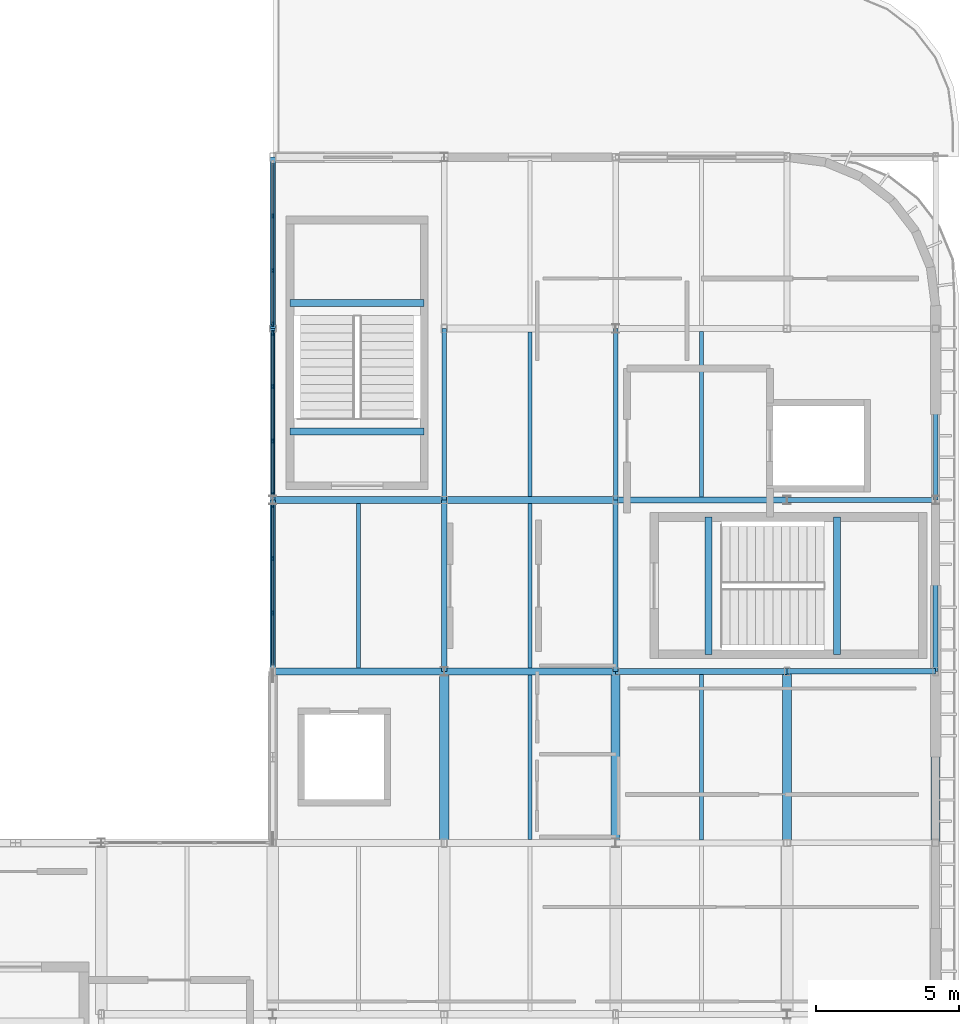
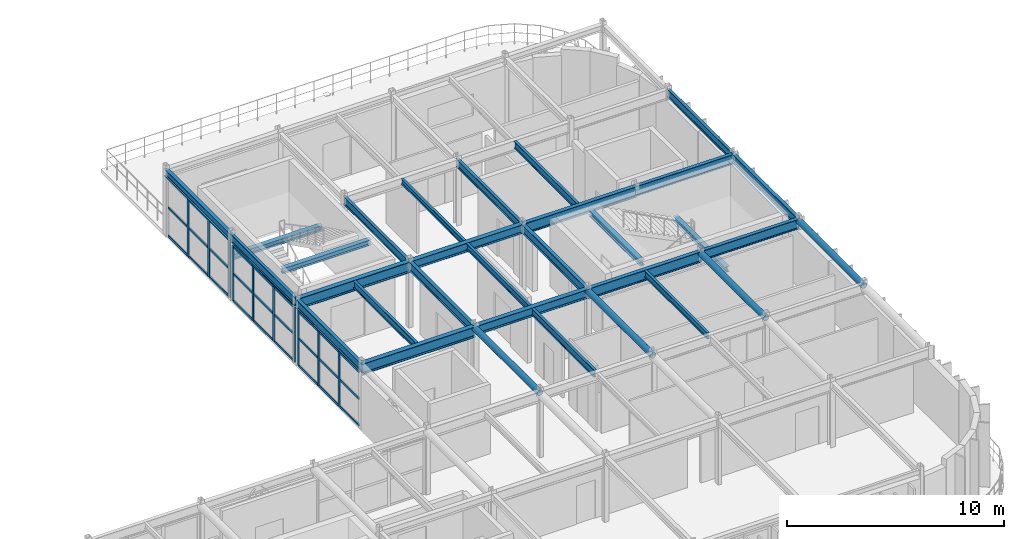
# One storey, part 8 of 27: 36 members, 31 beams, 3 elements without a shape of their own.
"""IFC4 building model written with IfcOpenShell, lengths in metres."""

from ifc_helpers import new_model, si_unit, direction, frame, origin, origin_2d, place, context, subcontext, project, spatial, rectangle, hollow_circle, i_section, extrude, material, material_profile, profile_set, type_object, element, aggregate, save


model = new_model("IFC4")

# Units and contexts
model_context = context("Model", 3, precision=1e-05, world=origin(), true_north=direction((0.0, 1.0)))
body_context = subcontext(model_context, "Body", "Model", "MODEL_VIEW")
ifc_project = project(units=[si_unit("LENGTHUNIT", "METRE"), si_unit("AREAUNIT", "SQUARE_METRE"), si_unit("VOLUMEUNIT", "CUBIC_METRE"), si_unit("PLANEANGLEUNIT", "RADIAN"), si_unit("MASSUNIT", "GRAM", prefix="KILO")], contexts=[model_context])

# Site, building, storey
site_placement = place(None, origin())
site = spatial("IfcSite", under=ifc_project, at=site_placement, CompositionType="ELEMENT")
building_placement = place(site_placement, origin())
building = spatial("IfcBuilding", under=site, at=building_placement, Name="Varnakota Square Police Headquarters", CompositionType="ELEMENT")
storey_placement = place(building_placement, frame((0.0, 0.0, 26.10009765625)))
storey = spatial("IfcBuildingStorey", under=building, at=storey_placement, Name="L06", CompositionType="ELEMENT", Elevation=26.10009765625)

# Beams
ifc_material_1 = material(Name="Steel IS 2062 Grade 350", Category="steel")
ifc_material_profile_1 = material_profile(ifc_material_1, hollow_circle(Radius=0.161865234375, WallThickness=0.0126953125, at=origin_2d()), Name="CHS 323.9x12.7")
ifc_profile_set_1 = profile_set([ifc_material_profile_1], Name="Steel IS 2062 Grade 350")
beam_type_1 = type_object("IfcBeamType", Name="BM-ARC-CHS324", PredefinedType="BEAM", material=ifc_profile_set_1)
for number, where, z_axis, x_axis, name in (
    (1, (144.0, 15.0, 3.52783203125), (0.0, 1.0, 0.0), (-1.0, 0.0, 0.0), "BMG-L06-3353"),
    (2, (150.0, 15.0, 3.52783203125), (0.0, 1.0, 0.0), (-1.0, 0.0, 0.0), "BMG-L06-3359"),
    (3, (156.0, 15.0, 3.52783203125), (0.0, 1.0, 0.0), (-1.0, 0.0, 0.0), "BMG-L06-3365"),
    (4, (161.199951171875, 15.0, 3.52783203125), (0.0, 1.0, 0.0), (-1.0, 0.0, 0.0), "BMG-L06-3368"),
):
    element("IfcBeam", number, at=place(storey_placement, frame(where, z_axis=z_axis, x_axis=x_axis)), inside=storey, type_object=beam_type_1, Name=name, PredefinedType="BEAM", context=body_context, shape_type="SweptSolid", body=[
        extrude(hollow_circle(Radius=0.161865234375, WallThickness=0.0126953125, at=origin_2d()), origin(), (0.0, 0.0, 1.0), 6.0),
    ])
ifc_material_profile_2 = material_profile(ifc_material_1, i_section(OverallWidth=0.25, OverallDepth=0.300048828125, WebThickness=0.009521484375, FlangeThickness=0.010498046875, FilletRadius=0.011962890625, at=origin_2d()), Name="ISHB 300")
ifc_profile_set_2 = profile_set([ifc_material_profile_2], Name="Steel IS 2062 Grade 350")
beam_type_2 = type_object("IfcBeamType", Name="BM-ISHB300", PredefinedType="BEAM", material=ifc_profile_set_2)
for number, where, z_axis, x_axis, name in (
    (5, (157.75048828125, 21.60009765625, 1.6337890625), (0.0, 1.0, 0.0), (-1.0, 0.0, 0.0), "Stair landing support beam BM-LND-0029"),
    (6, (153.25, 21.60009765625, 3.56982421875), (0.0, 1.0, 0.0), (-1.0, 0.0, 0.0), "Stair landing support beam BM-LND-0030"),
):
    element("IfcBeam", number, at=place(storey_placement, frame(where, z_axis=z_axis, x_axis=x_axis)), inside=storey, type_object=beam_type_2, Name=name, PredefinedType="BEAM", context=body_context, shape_type="SweptSolid", body=[
        extrude(i_section(OverallWidth=0.25, OverallDepth=0.300048828125, WebThickness=0.009521484375, FlangeThickness=0.010498046875, FilletRadius=0.011962890625, at=origin_2d()), origin(), (0.0, 0.0, 1.0), 4.7998046875),
    ])
for number, where, z_axis, x_axis, name in (
    (7, (138.60009765625, 33.900634765625, 1.637939453125), (1.0, 0.0, 0.0), (0.0, 1.0, 0.0), "Stair landing support beam BM-LND-0044"),
    (8, (138.60009765625, 29.400146484375, 3.56982421875), (1.0, 0.0, 0.0), (0.0, 1.0, 0.0), "Stair landing support beam BM-LND-0045"),
):
    element("IfcBeam", number, at=place(storey_placement, frame(where, z_axis=z_axis, x_axis=x_axis)), inside=storey, type_object=beam_type_2, Name=name, PredefinedType="BEAM", context=body_context, shape_type="SweptSolid", body=[
        extrude(i_section(OverallWidth=0.25, OverallDepth=0.300048828125, WebThickness=0.009521484375, FlangeThickness=0.010498046875, FilletRadius=0.011962890625, at=origin_2d()), origin(), (0.0, 0.0, 1.0), 4.699951171875),
    ])
ifc_material_profile_3 = material_profile(ifc_material_1, i_section(OverallWidth=0.139892578125, OverallDepth=0.300048828125, WebThickness=0.0078125, FlangeThickness=0.01318359375, FilletRadius=0.013916015625, at=origin_2d()), Name="ISMB 300")
ifc_profile_set_3 = profile_set([ifc_material_profile_3], Name="Steel IS 2062 Grade 350")
beam_type_3 = type_object("IfcBeamType", Name="BM-ISMB300", PredefinedType="JOIST", material=ifc_profile_set_3)
beam_1_placement = place(storey_placement, frame((147.0, 27.123046875, 3.539794921875), z_axis=(0.0, 1.0, 0.0), x_axis=(-1.0, 0.0, 0.0)))
element("IfcBeam", 9, at=beam_1_placement, inside=storey, type_object=beam_type_3, Name="BMG-L06-3381", PredefinedType="JOIST", context=body_context, shape_type="SweptSolid", body=[
    extrude(i_section(OverallWidth=0.139892578125, OverallDepth=0.300048828125, WebThickness=0.0078125, FlangeThickness=0.01318359375, FilletRadius=0.013916015625, at=origin_2d()), origin(), (0.0, 0.0, 1.0), 5.75390625),
])
ifc_material_profile_4 = material_profile(ifc_material_1, i_section(OverallWidth=0.139892578125, OverallDepth=0.35009765625, WebThickness=0.008056640625, FlangeThickness=0.01416015625, FilletRadius=0.013916015625, at=origin_2d()), Name="ISMB 350")
ifc_profile_set_4 = profile_set([ifc_material_profile_4], Name="Steel IS 2062 Grade 350")
beam_type_4 = type_object("IfcBeamType", Name="BM-ISMB350", PredefinedType="JOIST", material=ifc_profile_set_4)
beam_2_placement = place(storey_placement, frame((147.0, 21.123046875, 3.514892578125), z_axis=(0.0, 1.0, 0.0), x_axis=(-1.0, 0.0, 0.0)))
element("IfcBeam", 10, at=beam_2_placement, inside=storey, type_object=beam_type_4, Name="BMG-L06-3380", PredefinedType="JOIST", context=body_context, shape_type="SweptSolid", body=[
    extrude(i_section(OverallWidth=0.139892578125, OverallDepth=0.35009765625, WebThickness=0.008056640625, FlangeThickness=0.01416015625, FilletRadius=0.013916015625, at=origin_2d()), origin(), (0.0, 0.0, 1.0), 5.75390625),
])
beam_3_placement = place(storey_placement, frame((153.0, 15.10302734375, 3.514892578125), z_axis=(0.0, 1.0, 0.0), x_axis=(-1.0, 0.0, 0.0)))
element("IfcBeam", 11, at=beam_3_placement, inside=storey, type_object=beam_type_4, Name="BMG-L06-3384", PredefinedType="JOIST", context=body_context, shape_type="SweptSolid", body=[
    extrude(i_section(OverallWidth=0.139892578125, OverallDepth=0.35009765625, WebThickness=0.008056640625, FlangeThickness=0.01416015625, FilletRadius=0.013916015625, at=origin_2d()), origin(), (0.0, 0.0, 1.0), 5.7939453125),
])
ifc_material_profile_5 = material_profile(ifc_material_1, i_section(OverallWidth=0.139892578125, OverallDepth=0.39990234375, WebThickness=0.0087890625, FlangeThickness=0.01611328125, FilletRadius=0.013916015625, at=origin_2d()), Name="ISMB 400")
ifc_profile_set_5 = profile_set([ifc_material_profile_5], Name="Steel IS 2062 Grade 350")
beam_type_5 = type_object("IfcBeamType", Name="BM-ISMB400", PredefinedType="JOIST", material=ifc_profile_set_5)
for number, where, z_axis, x_axis, name in (
    (12, (141.0, 21.123046875, 3.489990234375), (0.0, 1.0, 0.0), (-1.0, 0.0, 0.0), "BMG-L06-3377"),
    (13, (147.0, 15.123046875, 3.489990234375), (0.0, 1.0, 0.0), (-1.0, 0.0, 0.0), "BMG-L06-3379"),
):
    element("IfcBeam", number, at=place(storey_placement, frame(where, z_axis=z_axis, x_axis=x_axis)), inside=storey, type_object=beam_type_5, Name=name, PredefinedType="JOIST", context=body_context, shape_type="SweptSolid", body=[
        extrude(i_section(OverallWidth=0.139892578125, OverallDepth=0.39990234375, WebThickness=0.0087890625, FlangeThickness=0.01611328125, FilletRadius=0.013916015625, at=origin_2d()), origin(), (0.0, 0.0, 1.0), 5.75390625),
    ])
beam_4_placement = place(storey_placement, frame((153.0, 27.10302734375, 3.489990234375), z_axis=(0.0, 1.0, 0.0), x_axis=(-1.0, 0.0, 0.0)))
element("IfcBeam", 14, at=beam_4_placement, inside=storey, type_object=beam_type_5, Name="BMG-L06-3385", PredefinedType="JOIST", context=body_context, shape_type="SweptSolid", body=[
    extrude(i_section(OverallWidth=0.139892578125, OverallDepth=0.39990234375, WebThickness=0.0087890625, FlangeThickness=0.01611328125, FilletRadius=0.013916015625, at=origin_2d()), origin(), (0.0, 0.0, 1.0), 5.7939453125),
])
ifc_material_profile_6 = material_profile(ifc_material_1, i_section(OverallWidth=0.14990234375, OverallDepth=0.449951171875, WebThickness=0.009521484375, FlangeThickness=0.017333984375, FilletRadius=0.014892578125, at=origin_2d()), Name="ISMB 450")
ifc_profile_set_6 = profile_set([ifc_material_profile_6], Name="Steel IS 2062 Grade 350")
beam_type_6 = type_object("IfcBeamType", Name="BM-ISMB450", PredefinedType="BEAM", material=ifc_profile_set_6)
for number, where, z_axis, x_axis, name in (
    (15, (138.0, 27.0, 3.46484375), (0.0, 1.0, 0.0), (-1.0, 0.0, 0.0), "BMG-L06-3349"),
    (16, (144.0, 27.0, 3.46484375), (0.0, 1.0, 0.0), (-1.0, 0.0, 0.0), "BMG-L06-3355"),
    (17, (150.0, 27.0, 3.46484375), (0.0, 1.0, 0.0), (-1.0, 0.0, 0.0), "BMG-L06-3361"),
    (18, (161.199951171875, 27.0, 3.46484375), (0.0, 1.0, 0.0), (-1.0, 0.0, 0.0), "BMG-L06-3370"),
):
    element("IfcBeam", number, at=place(storey_placement, frame(where, z_axis=z_axis, x_axis=x_axis)), inside=storey, type_object=beam_type_6, Name=name, PredefinedType="BEAM", context=body_context, shape_type="SweptSolid", body=[
        extrude(i_section(OverallWidth=0.14990234375, OverallDepth=0.449951171875, WebThickness=0.009521484375, FlangeThickness=0.017333984375, FilletRadius=0.014892578125, at=origin_2d()), origin(), (0.0, 0.0, 1.0), 6.0),
    ])
ifc_material_profile_7 = material_profile(ifc_material_1, i_section(OverallWidth=0.179931640625, OverallDepth=0.5, WebThickness=0.01025390625, FlangeThickness=0.01708984375, FilletRadius=0.01708984375, at=origin_2d()), Name="ISMB 500")
ifc_profile_set_7 = profile_set([ifc_material_profile_7], Name="Steel IS 2062 Grade 350")
beam_type_7 = type_object("IfcBeamType", Name="BM-ISMB500", PredefinedType="BEAM", material=ifc_profile_set_7)
for number, where, z_axis, x_axis, name in (
    (19, (138.0, 21.0, 3.43994140625), (0.0, 1.0, 0.0), (-1.0, 0.0, 0.0), "BMG-L06-3348"),
    (20, (144.0, 21.0, 3.43994140625), (0.0, 1.0, 0.0), (-1.0, 0.0, 0.0), "BMG-L06-3354"),
    (21, (150.0, 21.0, 3.43994140625), (0.0, 1.0, 0.0), (-1.0, 0.0, 0.0), "BMG-L06-3360"),
    (22, (161.199951171875, 21.0, 3.43994140625), (0.0, 1.0, 0.0), (-1.0, 0.0, 0.0), "BMG-L06-3369"),
):
    element("IfcBeam", number, at=place(storey_placement, frame(where, z_axis=z_axis, x_axis=x_axis)), inside=storey, type_object=beam_type_7, Name=name, PredefinedType="BEAM", context=body_context, shape_type="SweptSolid", body=[
        extrude(i_section(OverallWidth=0.179931640625, OverallDepth=0.5, WebThickness=0.01025390625, FlangeThickness=0.01708984375, FilletRadius=0.01708984375, at=origin_2d()), origin(), (0.0, 0.0, 1.0), 6.0),
    ])
ifc_material_profile_8 = material_profile(ifc_material_1, i_section(OverallWidth=0.18994140625, OverallDepth=0.550048828125, WebThickness=0.01123046875, FlangeThickness=0.019287109375, FilletRadius=0.01806640625, at=origin_2d()), Name="ISMB 550")
ifc_profile_set_8 = profile_set([ifc_material_profile_8], Name="Steel IS 2062 Grade 350")
beam_type_8 = type_object("IfcBeamType", Name="BM-ISMB550", PredefinedType="BEAM", material=ifc_profile_set_8)
for number, where, z_axis, x_axis, name in (
    (23, (156.0, 21.0, 3.414794921875), (1.0, 0.0, 0.0), (0.0, 1.0, 0.0), "BMG-L06-3324"),
    (24, (156.0, 27.0, 3.414794921875), (1.0, 0.0, 0.0), (0.0, 1.0, 0.0), "BMG-L06-3328"),
):
    element("IfcBeam", number, at=place(storey_placement, frame(where, z_axis=z_axis, x_axis=x_axis)), inside=storey, type_object=beam_type_8, Name=name, PredefinedType="BEAM", context=body_context, shape_type="SweptSolid", body=[
        extrude(i_section(OverallWidth=0.18994140625, OverallDepth=0.550048828125, WebThickness=0.01123046875, FlangeThickness=0.019287109375, FilletRadius=0.01806640625, at=origin_2d()), origin(), (0.0, 0.0, 1.0), 5.199951171875),
    ])
ifc_material_profile_9 = material_profile(ifc_material_1, i_section(OverallWidth=0.2099609375, OverallDepth=0.60009765625, WebThickness=0.011962890625, FlangeThickness=0.020751953125, FilletRadius=0.02001953125, at=origin_2d()), Name="ISMB 600")
ifc_profile_set_9 = profile_set([ifc_material_profile_9], Name="Steel IS 2062 Grade 350")
beam_type_9 = type_object("IfcBeamType", Name="BM-ISMB600", PredefinedType="BEAM", material=ifc_profile_set_9)
for number, where, z_axis, x_axis, name in (
    (25, (150.0, 21.0, 3.389892578125), (1.0, 0.0, 0.0), (0.0, 1.0, 0.0), "BMG-L06-3323"),
    (26, (150.0, 27.0, 3.389892578125), (1.0, 0.0, 0.0), (0.0, 1.0, 0.0), "BMG-L06-3327"),
):
    element("IfcBeam", number, at=place(storey_placement, frame(where, z_axis=z_axis, x_axis=x_axis)), inside=storey, type_object=beam_type_9, Name=name, PredefinedType="BEAM", context=body_context, shape_type="SweptSolid", body=[
        extrude(i_section(OverallWidth=0.2099609375, OverallDepth=0.60009765625, WebThickness=0.011962890625, FlangeThickness=0.020751953125, FilletRadius=0.02001953125, at=origin_2d()), origin(), (0.0, 0.0, 1.0), 6.0),
    ])
ifc_material_profile_10 = material_profile(ifc_material_1, i_section(OverallWidth=0.199951171875, OverallDepth=0.39990234375, WebThickness=0.008544921875, FlangeThickness=0.012939453125, FilletRadius=0.012939453125, at=origin_2d()), Name="ISWB 400")
ifc_profile_set_10 = profile_set([ifc_material_profile_10], Name="Steel IS 2062 Grade 350")
beam_type_10 = type_object("IfcBeamType", Name="BM-ISWB400", PredefinedType="BEAM", material=ifc_profile_set_10)
beam_5_placement = place(storey_placement, frame((138.0, 33.0, 3.489990234375), z_axis=(0.0, 1.0, 0.0), x_axis=(-1.0, 0.0, 0.0)))
element("IfcBeam", 27, at=beam_5_placement, inside=storey, type_object=beam_type_10, Name="BMG-L06-3350", PredefinedType="BEAM", context=body_context, shape_type="SweptSolid", body=[
    extrude(i_section(OverallWidth=0.199951171875, OverallDepth=0.39990234375, WebThickness=0.008544921875, FlangeThickness=0.012939453125, FilletRadius=0.012939453125, at=origin_2d()), origin(), (0.0, 0.0, 1.0), 6.0),
])
ifc_material_profile_11 = material_profile(ifc_material_1, i_section(OverallWidth=0.25, OverallDepth=0.5, WebThickness=0.010009765625, FlangeThickness=0.0146484375, FilletRadius=0.014892578125, at=origin_2d()), Name="ISWB 500")
ifc_profile_set_11 = profile_set([ifc_material_profile_11], Name="Steel IS 2062 Grade 350")
beam_type_11 = type_object("IfcBeamType", Name="BM-ISWB500", PredefinedType="BEAM", material=ifc_profile_set_11)
for number, where, z_axis, x_axis, name in (
    (28, (144.0, 21.0, 3.43994140625), (1.0, 0.0, 0.0), (0.0, 1.0, 0.0), "BMG-L06-3322"),
    (29, (144.0, 27.0, 3.43994140625), (1.0, 0.0, 0.0), (0.0, 1.0, 0.0), "BMG-L06-3326"),
):
    element("IfcBeam", number, at=place(storey_placement, frame(where, z_axis=z_axis, x_axis=x_axis)), inside=storey, type_object=beam_type_11, Name=name, PredefinedType="BEAM", context=body_context, shape_type="SweptSolid", body=[
        extrude(i_section(OverallWidth=0.25, OverallDepth=0.5, WebThickness=0.010009765625, FlangeThickness=0.0146484375, FilletRadius=0.014892578125, at=origin_2d()), origin(), (0.0, 0.0, 1.0), 6.0),
    ])
ifc_material_profile_12 = material_profile(ifc_material_1, i_section(OverallWidth=0.25, OverallDepth=0.60009765625, WebThickness=0.01171875, FlangeThickness=0.023681640625, FilletRadius=0.01708984375, at=origin_2d()), Name="ISWB 600")
ifc_profile_set_12 = profile_set([ifc_material_profile_12], Name="Steel IS 2062 Grade 350")
beam_type_12 = type_object("IfcBeamType", Name="BM-ISWB600", PredefinedType="BEAM", material=ifc_profile_set_12)
for number, where, z_axis, x_axis, name in (
    (30, (138.0, 21.0, 3.389892578125), (1.0, 0.0, 0.0), (0.0, 1.0, 0.0), "BMG-L06-3321"),
    (31, (138.0, 27.0, 3.389892578125), (1.0, 0.0, 0.0), (0.0, 1.0, 0.0), "BMG-L06-3325"),
):
    element("IfcBeam", number, at=place(storey_placement, frame(where, z_axis=z_axis, x_axis=x_axis)), inside=storey, type_object=beam_type_12, Name=name, PredefinedType="BEAM", context=body_context, shape_type="SweptSolid", body=[
        extrude(i_section(OverallWidth=0.25, OverallDepth=0.60009765625, WebThickness=0.01171875, FlangeThickness=0.023681640625, FilletRadius=0.01708984375, at=origin_2d()), origin(), (0.0, 0.0, 1.0), 6.0),
    ])

# Curtain wall, members
ifc_material_2 = material(Name="Anodised Aluminium Framing", Category="aluminium")
curtain_wall_type = type_object("IfcCurtainWallType", Name="CW-SYS-E", PredefinedType="NOTDEFINED", material=ifc_material_2)
curtain_wall_1_placement = place(storey_placement, origin())
curtain_wall_1 = element("IfcCurtainWall", 32, at=curtain_wall_1_placement, inside=storey, type_object=curtain_wall_type, Name="Unitised curtain wall CWG-L06-117", PredefinedType="NOTDEFINED")
ifc_material_3 = material(Name="Anodised Aluminium 6063-T6", Category="aluminium")
ifc_material_profile_13 = material_profile(ifc_material_3, rectangle(XDim=0.06494140625, YDim=0.159912109375, at=origin_2d()), Name="ALU MULLION 65x160")
ifc_profile_set_13 = profile_set([ifc_material_profile_13], Name="Anodised Aluminium 6063-T6")
member_type_1 = type_object("IfcMemberType", Name="CWM-150", PredefinedType="MULLION", material=ifc_profile_set_13)
member_1_placement = place(storey_placement, frame((138.0, 23.0517578125, 0.0), z_axis=(0.0, 0.0, 1.0), x_axis=(-1.0, 0.0, 0.0)))
member_1 = element("IfcMember", 33, at=member_1_placement, type_object=member_type_1, Name="CWG-L06-117 mullion 2", PredefinedType="MULLION", context=body_context, shape_type="SweptSolid", body=[
    extrude(rectangle(XDim=0.06494140625, YDim=0.159912109375, at=origin_2d()), origin(), (0.0, 0.0, 1.0), 3.079833984375),
])
member_2_placement = place(storey_placement, frame((138.0, 24.9482421875, 0.0), z_axis=(0.0, 0.0, 1.0), x_axis=(-1.0, 0.0, 0.0)))
member_2 = element("IfcMember", 34, at=member_2_placement, type_object=member_type_1, Name="CWG-L06-117 mullion 3", PredefinedType="MULLION", context=body_context, shape_type="SweptSolid", body=[
    extrude(rectangle(XDim=0.06494140625, YDim=0.159912109375, at=origin_2d()), origin(), (0.0, 0.0, 1.0), 3.079833984375),
])
member_3_placement = place(storey_placement, frame((138.0, 26.8125, 0.0), z_axis=(0.0, 0.0, 1.0), x_axis=(-1.0, 0.0, 0.0)))
member_3 = element("IfcMember", 35, at=member_3_placement, type_object=member_type_1, Name="CWG-L06-117 mullion 4", PredefinedType="MULLION", context=body_context, shape_type="SweptSolid", body=[
    extrude(rectangle(XDim=0.06494140625, YDim=0.159912109375, at=origin_2d()), origin(), (0.0, 0.0, 1.0), 3.079833984375),
])

curtain_wall_2_placement = place(storey_placement, origin())
curtain_wall_2 = element("IfcCurtainWall", 36, at=curtain_wall_2_placement, inside=storey, type_object=curtain_wall_type, Name="Unitised curtain wall CWG-L06-118", PredefinedType="NOTDEFINED")
member_4_placement = place(storey_placement, frame((138.0, 27.1875, 0.0), z_axis=(0.0, 0.0, 1.0), x_axis=(-1.0, 0.0, 0.0)))
member_4 = element("IfcMember", 37, at=member_4_placement, type_object=member_type_1, Name="CWG-L06-118 mullion 1", PredefinedType="MULLION", context=body_context, shape_type="SweptSolid", body=[
    extrude(rectangle(XDim=0.06494140625, YDim=0.159912109375, at=origin_2d()), origin(), (0.0, 0.0, 1.0), 3.079833984375),
])
member_5_placement = place(storey_placement, frame((138.0, 29.06005859375, 0.0), z_axis=(0.0, 0.0, 1.0), x_axis=(-1.0, 0.0, 0.0)))
member_5 = element("IfcMember", 38, at=member_5_placement, type_object=member_type_1, Name="CWG-L06-118 mullion 2", PredefinedType="MULLION", context=body_context, shape_type="SweptSolid", body=[
    extrude(rectangle(XDim=0.06494140625, YDim=0.159912109375, at=origin_2d()), origin(), (0.0, 0.0, 1.0), 3.079833984375),
])
member_6_placement = place(storey_placement, frame((138.0, 30.965087890625, 0.0), z_axis=(0.0, 0.0, 1.0), x_axis=(-1.0, 0.0, 0.0)))
member_6 = element("IfcMember", 39, at=member_6_placement, type_object=member_type_1, Name="CWG-L06-118 mullion 3", PredefinedType="MULLION", context=body_context, shape_type="SweptSolid", body=[
    extrude(rectangle(XDim=0.06494140625, YDim=0.159912109375, at=origin_2d()), origin(), (0.0, 0.0, 1.0), 3.079833984375),
])
member_7_placement = place(storey_placement, frame((138.0, 32.83740234375, 0.0), z_axis=(0.0, 0.0, 1.0), x_axis=(-1.0, 0.0, 0.0)))
member_7 = element("IfcMember", 40, at=member_7_placement, type_object=member_type_1, Name="CWG-L06-118 mullion 4", PredefinedType="MULLION", context=body_context, shape_type="SweptSolid", body=[
    extrude(rectangle(XDim=0.06494140625, YDim=0.159912109375, at=origin_2d()), origin(), (0.0, 0.0, 1.0), 3.079833984375),
])

curtain_wall_3_placement = place(storey_placement, origin())
curtain_wall_3 = element("IfcCurtainWall", 41, at=curtain_wall_3_placement, inside=storey, type_object=curtain_wall_type, Name="Unitised curtain wall CWG-L06-119", PredefinedType="NOTDEFINED")
member_8_placement = place(storey_placement, frame((138.0, 33.16259765625, 0.0), z_axis=(0.0, 0.0, 1.0), x_axis=(-1.0, 0.0, 0.0)))
member_8 = element("IfcMember", 42, at=member_8_placement, type_object=member_type_1, Name="CWG-L06-119 mullion 1", PredefinedType="MULLION", context=body_context, shape_type="SweptSolid", body=[
    extrude(rectangle(XDim=0.06494140625, YDim=0.159912109375, at=origin_2d()), origin(), (0.0, 0.0, 1.0), 3.22998046875),
])
member_9_placement = place(storey_placement, frame((138.0, 35.034912109375, 0.0), z_axis=(0.0, 0.0, 1.0), x_axis=(-1.0, 0.0, 0.0)))
member_9 = element("IfcMember", 43, at=member_9_placement, type_object=member_type_1, Name="CWG-L06-119 mullion 2", PredefinedType="MULLION", context=body_context, shape_type="SweptSolid", body=[
    extrude(rectangle(XDim=0.06494140625, YDim=0.159912109375, at=origin_2d()), origin(), (0.0, 0.0, 1.0), 3.22998046875),
])
member_10_placement = place(storey_placement, frame((138.0, 36.93994140625, 0.0), z_axis=(0.0, 0.0, 1.0), x_axis=(-1.0, 0.0, 0.0)))
member_10 = element("IfcMember", 44, at=member_10_placement, type_object=member_type_1, Name="CWG-L06-119 mullion 3", PredefinedType="MULLION", context=body_context, shape_type="SweptSolid", body=[
    extrude(rectangle(XDim=0.06494140625, YDim=0.159912109375, at=origin_2d()), origin(), (0.0, 0.0, 1.0), 3.22998046875),
])

# Member
ifc_material_profile_14 = material_profile(ifc_material_3, rectangle(XDim=0.06494140625, YDim=0.1298828125, at=origin_2d()), Name="ALU TRANSOM 65x130")
ifc_profile_set_14 = profile_set([ifc_material_profile_14], Name="Anodised Aluminium 6063-T6")
member_type_2 = type_object("IfcMemberType", Name="CWT-120", PredefinedType="USERDEFINED", material=ifc_profile_set_14)
member_11_placement = place(storey_placement, frame((138.0, 21.219970703125, 0.032470703125), z_axis=(0.0, 1.0, 0.0), x_axis=(-1.0, 0.0, 0.0)))
member_11 = element("IfcMember", 45, at=member_11_placement, type_object=member_type_2, Name="CWG-L06-117 transom 1.1", ObjectType="TRANSOM", PredefinedType="USERDEFINED", context=body_context, shape_type="SweptSolid", body=[
    extrude(rectangle(XDim=0.06494140625, YDim=0.1298828125, at=origin_2d()), origin(), (0.0, 0.0, 1.0), 1.79931640625),
])

member_12_placement = place(storey_placement, frame((138.0, 21.219970703125, 1.539794921875), z_axis=(0.0, 1.0, 0.0), x_axis=(-1.0, 0.0, 0.0)))
member_12 = element("IfcMember", 46, at=member_12_placement, type_object=member_type_2, Name="CWG-L06-117 transom 1.2", ObjectType="TRANSOM", PredefinedType="USERDEFINED", context=body_context, shape_type="SweptSolid", body=[
    extrude(rectangle(XDim=0.06494140625, YDim=0.1298828125, at=origin_2d()), origin(), (0.0, 0.0, 1.0), 1.79931640625),
])

member_13_placement = place(storey_placement, frame((138.0, 21.219970703125, 3.04736328125), z_axis=(0.0, 1.0, 0.0), x_axis=(-1.0, 0.0, 0.0)))
member_13 = element("IfcMember", 47, at=member_13_placement, type_object=member_type_2, Name="CWG-L06-117 transom 1.3", ObjectType="TRANSOM", PredefinedType="USERDEFINED", context=body_context, shape_type="SweptSolid", body=[
    extrude(rectangle(XDim=0.06494140625, YDim=0.1298828125, at=origin_2d()), origin(), (0.0, 0.0, 1.0), 1.79931640625),
])

member_14_placement = place(storey_placement, frame((138.0, 23.084228515625, 0.032470703125), z_axis=(0.0, 1.0, 0.0), x_axis=(-1.0, 0.0, 0.0)))
member_14 = element("IfcMember", 48, at=member_14_placement, type_object=member_type_2, Name="CWG-L06-117 transom 2.1", ObjectType="TRANSOM", PredefinedType="USERDEFINED", context=body_context, shape_type="SweptSolid", body=[
    extrude(rectangle(XDim=0.06494140625, YDim=0.1298828125, at=origin_2d()), origin(), (0.0, 0.0, 1.0), 1.83154296875),
])

member_15_placement = place(storey_placement, frame((138.0, 23.084228515625, 1.539794921875), z_axis=(0.0, 1.0, 0.0), x_axis=(-1.0, 0.0, 0.0)))
member_15 = element("IfcMember", 49, at=member_15_placement, type_object=member_type_2, Name="CWG-L06-117 transom 2.2", ObjectType="TRANSOM", PredefinedType="USERDEFINED", context=body_context, shape_type="SweptSolid", body=[
    extrude(rectangle(XDim=0.06494140625, YDim=0.1298828125, at=origin_2d()), origin(), (0.0, 0.0, 1.0), 1.83154296875),
])

member_16_placement = place(storey_placement, frame((138.0, 23.084228515625, 3.04736328125), z_axis=(0.0, 1.0, 0.0), x_axis=(-1.0, 0.0, 0.0)))
member_16 = element("IfcMember", 50, at=member_16_placement, type_object=member_type_2, Name="CWG-L06-117 transom 2.3", ObjectType="TRANSOM", PredefinedType="USERDEFINED", context=body_context, shape_type="SweptSolid", body=[
    extrude(rectangle(XDim=0.06494140625, YDim=0.1298828125, at=origin_2d()), origin(), (0.0, 0.0, 1.0), 1.83154296875),
])

member_17_placement = place(storey_placement, frame((138.0, 24.980712890625, 0.032470703125), z_axis=(0.0, 1.0, 0.0), x_axis=(-1.0, 0.0, 0.0)))
member_17 = element("IfcMember", 51, at=member_17_placement, type_object=member_type_2, Name="CWG-L06-117 transom 3.1", ObjectType="TRANSOM", PredefinedType="USERDEFINED", context=body_context, shape_type="SweptSolid", body=[
    extrude(rectangle(XDim=0.06494140625, YDim=0.1298828125, at=origin_2d()), origin(), (0.0, 0.0, 1.0), 1.79931640625),
])

member_18_placement = place(storey_placement, frame((138.0, 24.980712890625, 1.539794921875), z_axis=(0.0, 1.0, 0.0), x_axis=(-1.0, 0.0, 0.0)))
member_18 = element("IfcMember", 52, at=member_18_placement, type_object=member_type_2, Name="CWG-L06-117 transom 3.2", ObjectType="TRANSOM", PredefinedType="USERDEFINED", context=body_context, shape_type="SweptSolid", body=[
    extrude(rectangle(XDim=0.06494140625, YDim=0.1298828125, at=origin_2d()), origin(), (0.0, 0.0, 1.0), 1.79931640625),
])

member_19_placement = place(storey_placement, frame((138.0, 24.980712890625, 3.04736328125), z_axis=(0.0, 1.0, 0.0), x_axis=(-1.0, 0.0, 0.0)))
member_19 = element("IfcMember", 53, at=member_19_placement, type_object=member_type_2, Name="CWG-L06-117 transom 3.3", ObjectType="TRANSOM", PredefinedType="USERDEFINED", context=body_context, shape_type="SweptSolid", body=[
    extrude(rectangle(XDim=0.06494140625, YDim=0.1298828125, at=origin_2d()), origin(), (0.0, 0.0, 1.0), 1.79931640625),
])

aggregate(curtain_wall_1, [member_1, member_2, member_3, member_11, member_12, member_13, member_14, member_15, member_16, member_17, member_18, member_19])

member_20_placement = place(storey_placement, frame((138.0, 27.219970703125, 0.032470703125), z_axis=(0.0, 1.0, 0.0), x_axis=(-1.0, 0.0, 0.0)))
member_20 = element("IfcMember", 54, at=member_20_placement, type_object=member_type_2, Name="CWG-L06-118 transom 1.1", ObjectType="TRANSOM", PredefinedType="USERDEFINED", context=body_context, shape_type="SweptSolid", body=[
    extrude(rectangle(XDim=0.06494140625, YDim=0.1298828125, at=origin_2d()), origin(), (0.0, 0.0, 1.0), 1.8076171875),
])

member_21_placement = place(storey_placement, frame((138.0, 27.219970703125, 1.539794921875), z_axis=(0.0, 1.0, 0.0), x_axis=(-1.0, 0.0, 0.0)))
member_21 = element("IfcMember", 55, at=member_21_placement, type_object=member_type_2, Name="CWG-L06-118 transom 1.2", ObjectType="TRANSOM", PredefinedType="USERDEFINED", context=body_context, shape_type="SweptSolid", body=[
    extrude(rectangle(XDim=0.06494140625, YDim=0.1298828125, at=origin_2d()), origin(), (0.0, 0.0, 1.0), 1.8076171875),
])

member_22_placement = place(storey_placement, frame((138.0, 27.219970703125, 3.04736328125), z_axis=(0.0, 1.0, 0.0), x_axis=(-1.0, 0.0, 0.0)))
member_22 = element("IfcMember", 56, at=member_22_placement, type_object=member_type_2, Name="CWG-L06-118 transom 1.3", ObjectType="TRANSOM", PredefinedType="USERDEFINED", context=body_context, shape_type="SweptSolid", body=[
    extrude(rectangle(XDim=0.06494140625, YDim=0.1298828125, at=origin_2d()), origin(), (0.0, 0.0, 1.0), 1.8076171875),
])

member_23_placement = place(storey_placement, frame((138.0, 29.092529296875, 0.032470703125), z_axis=(0.0, 1.0, 0.0), x_axis=(-1.0, 0.0, 0.0)))
member_23 = element("IfcMember", 57, at=member_23_placement, type_object=member_type_2, Name="CWG-L06-118 transom 2.1", ObjectType="TRANSOM", PredefinedType="USERDEFINED", context=body_context, shape_type="SweptSolid", body=[
    extrude(rectangle(XDim=0.06494140625, YDim=0.1298828125, at=origin_2d()), origin(), (0.0, 0.0, 1.0), 1.840087890625),
])

member_24_placement = place(storey_placement, frame((138.0, 29.092529296875, 1.539794921875), z_axis=(0.0, 1.0, 0.0), x_axis=(-1.0, 0.0, 0.0)))
member_24 = element("IfcMember", 58, at=member_24_placement, type_object=member_type_2, Name="CWG-L06-118 transom 2.2", ObjectType="TRANSOM", PredefinedType="USERDEFINED", context=body_context, shape_type="SweptSolid", body=[
    extrude(rectangle(XDim=0.06494140625, YDim=0.1298828125, at=origin_2d()), origin(), (0.0, 0.0, 1.0), 1.840087890625),
])

member_25_placement = place(storey_placement, frame((138.0, 29.092529296875, 3.04736328125), z_axis=(0.0, 1.0, 0.0), x_axis=(-1.0, 0.0, 0.0)))
member_25 = element("IfcMember", 59, at=member_25_placement, type_object=member_type_2, Name="CWG-L06-118 transom 2.3", ObjectType="TRANSOM", PredefinedType="USERDEFINED", context=body_context, shape_type="SweptSolid", body=[
    extrude(rectangle(XDim=0.06494140625, YDim=0.1298828125, at=origin_2d()), origin(), (0.0, 0.0, 1.0), 1.840087890625),
])

member_26_placement = place(storey_placement, frame((138.0, 30.99755859375, 0.032470703125), z_axis=(0.0, 1.0, 0.0), x_axis=(-1.0, 0.0, 0.0)))
member_26 = element("IfcMember", 60, at=member_26_placement, type_object=member_type_2, Name="CWG-L06-118 transom 3.1", ObjectType="TRANSOM", PredefinedType="USERDEFINED", context=body_context, shape_type="SweptSolid", body=[
    extrude(rectangle(XDim=0.06494140625, YDim=0.1298828125, at=origin_2d()), origin(), (0.0, 0.0, 1.0), 1.807373046875),
])

member_27_placement = place(storey_placement, frame((138.0, 30.99755859375, 1.539794921875), z_axis=(0.0, 1.0, 0.0), x_axis=(-1.0, 0.0, 0.0)))
member_27 = element("IfcMember", 61, at=member_27_placement, type_object=member_type_2, Name="CWG-L06-118 transom 3.2", ObjectType="TRANSOM", PredefinedType="USERDEFINED", context=body_context, shape_type="SweptSolid", body=[
    extrude(rectangle(XDim=0.06494140625, YDim=0.1298828125, at=origin_2d()), origin(), (0.0, 0.0, 1.0), 1.807373046875),
])

member_28_placement = place(storey_placement, frame((138.0, 30.99755859375, 3.04736328125), z_axis=(0.0, 1.0, 0.0), x_axis=(-1.0, 0.0, 0.0)))
member_28 = element("IfcMember", 62, at=member_28_placement, type_object=member_type_2, Name="CWG-L06-118 transom 3.3", ObjectType="TRANSOM", PredefinedType="USERDEFINED", context=body_context, shape_type="SweptSolid", body=[
    extrude(rectangle(XDim=0.06494140625, YDim=0.1298828125, at=origin_2d()), origin(), (0.0, 0.0, 1.0), 1.807373046875),
])

aggregate(curtain_wall_2, [member_4, member_5, member_6, member_7, member_20, member_21, member_22, member_23, member_24, member_25, member_26, member_27, member_28])

member_29_placement = place(storey_placement, frame((138.0, 33.195068359375, 0.032470703125), z_axis=(0.0, 1.0, 0.0), x_axis=(-1.0, 0.0, 0.0)))
member_29 = element("IfcMember", 63, at=member_29_placement, type_object=member_type_2, Name="CWG-L06-119 transom 1.1", ObjectType="TRANSOM", PredefinedType="USERDEFINED", context=body_context, shape_type="SweptSolid", body=[
    extrude(rectangle(XDim=0.06494140625, YDim=0.1298828125, at=origin_2d()), origin(), (0.0, 0.0, 1.0), 1.807373046875),
])

member_30_placement = place(storey_placement, frame((138.0, 33.195068359375, 1.614990234375), z_axis=(0.0, 1.0, 0.0), x_axis=(-1.0, 0.0, 0.0)))
member_30 = element("IfcMember", 64, at=member_30_placement, type_object=member_type_2, Name="CWG-L06-119 transom 1.2", ObjectType="TRANSOM", PredefinedType="USERDEFINED", context=body_context, shape_type="SweptSolid", body=[
    extrude(rectangle(XDim=0.06494140625, YDim=0.1298828125, at=origin_2d()), origin(), (0.0, 0.0, 1.0), 1.807373046875),
])

member_31_placement = place(storey_placement, frame((138.0, 33.195068359375, 3.197509765625), z_axis=(0.0, 1.0, 0.0), x_axis=(-1.0, 0.0, 0.0)))
member_31 = element("IfcMember", 65, at=member_31_placement, type_object=member_type_2, Name="CWG-L06-119 transom 1.3", ObjectType="TRANSOM", PredefinedType="USERDEFINED", context=body_context, shape_type="SweptSolid", body=[
    extrude(rectangle(XDim=0.06494140625, YDim=0.1298828125, at=origin_2d()), origin(), (0.0, 0.0, 1.0), 1.807373046875),
])

member_32_placement = place(storey_placement, frame((138.0, 35.0673828125, 0.032470703125), z_axis=(0.0, 1.0, 0.0), x_axis=(-1.0, 0.0, 0.0)))
member_32 = element("IfcMember", 66, at=member_32_placement, type_object=member_type_2, Name="CWG-L06-119 transom 2.1", ObjectType="TRANSOM", PredefinedType="USERDEFINED", context=body_context, shape_type="SweptSolid", body=[
    extrude(rectangle(XDim=0.06494140625, YDim=0.1298828125, at=origin_2d()), origin(), (0.0, 0.0, 1.0), 1.840087890625),
])

member_33_placement = place(storey_placement, frame((138.0, 35.0673828125, 1.614990234375), z_axis=(0.0, 1.0, 0.0), x_axis=(-1.0, 0.0, 0.0)))
member_33 = element("IfcMember", 67, at=member_33_placement, type_object=member_type_2, Name="CWG-L06-119 transom 2.2", ObjectType="TRANSOM", PredefinedType="USERDEFINED", context=body_context, shape_type="SweptSolid", body=[
    extrude(rectangle(XDim=0.06494140625, YDim=0.1298828125, at=origin_2d()), origin(), (0.0, 0.0, 1.0), 1.840087890625),
])

member_34_placement = place(storey_placement, frame((138.0, 35.0673828125, 3.197509765625), z_axis=(0.0, 1.0, 0.0), x_axis=(-1.0, 0.0, 0.0)))
member_34 = element("IfcMember", 68, at=member_34_placement, type_object=member_type_2, Name="CWG-L06-119 transom 2.3", ObjectType="TRANSOM", PredefinedType="USERDEFINED", context=body_context, shape_type="SweptSolid", body=[
    extrude(rectangle(XDim=0.06494140625, YDim=0.1298828125, at=origin_2d()), origin(), (0.0, 0.0, 1.0), 1.840087890625),
])

member_35_placement = place(storey_placement, frame((138.0, 36.972412109375, 0.032470703125), z_axis=(0.0, 1.0, 0.0), x_axis=(-1.0, 0.0, 0.0)))
member_35 = element("IfcMember", 69, at=member_35_placement, type_object=member_type_2, Name="CWG-L06-119 transom 3.1", ObjectType="TRANSOM", PredefinedType="USERDEFINED", context=body_context, shape_type="SweptSolid", body=[
    extrude(rectangle(XDim=0.06494140625, YDim=0.1298828125, at=origin_2d()), origin(), (0.0, 0.0, 1.0), 1.8076171875),
])

member_36_placement = place(storey_placement, frame((138.0, 36.972412109375, 1.614990234375), z_axis=(0.0, 1.0, 0.0), x_axis=(-1.0, 0.0, 0.0)))
member_36 = element("IfcMember", 70, at=member_36_placement, type_object=member_type_2, Name="CWG-L06-119 transom 3.2", ObjectType="TRANSOM", PredefinedType="USERDEFINED", context=body_context, shape_type="SweptSolid", body=[
    extrude(rectangle(XDim=0.06494140625, YDim=0.1298828125, at=origin_2d()), origin(), (0.0, 0.0, 1.0), 1.8076171875),
])

aggregate(curtain_wall_3, [member_8, member_9, member_10, member_29, member_30, member_31, member_32, member_33, member_34, member_35, member_36])

save(model, "model.ifc")
